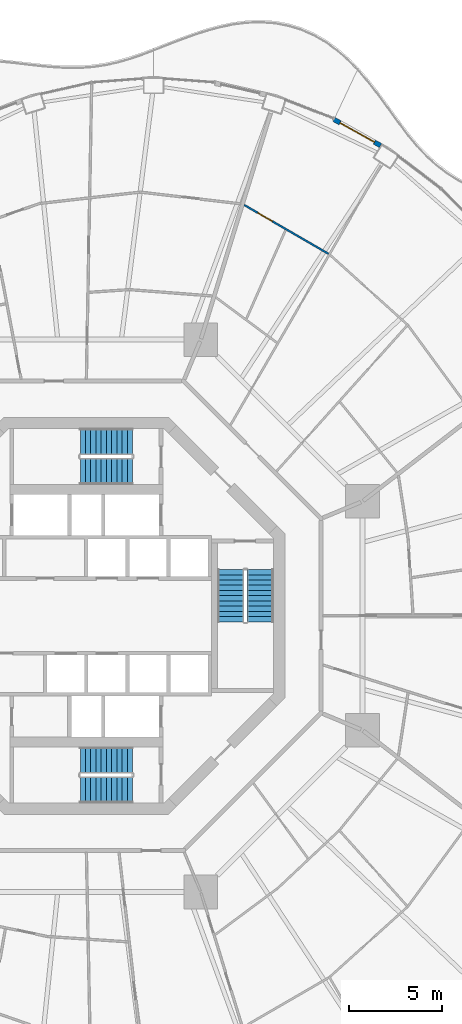
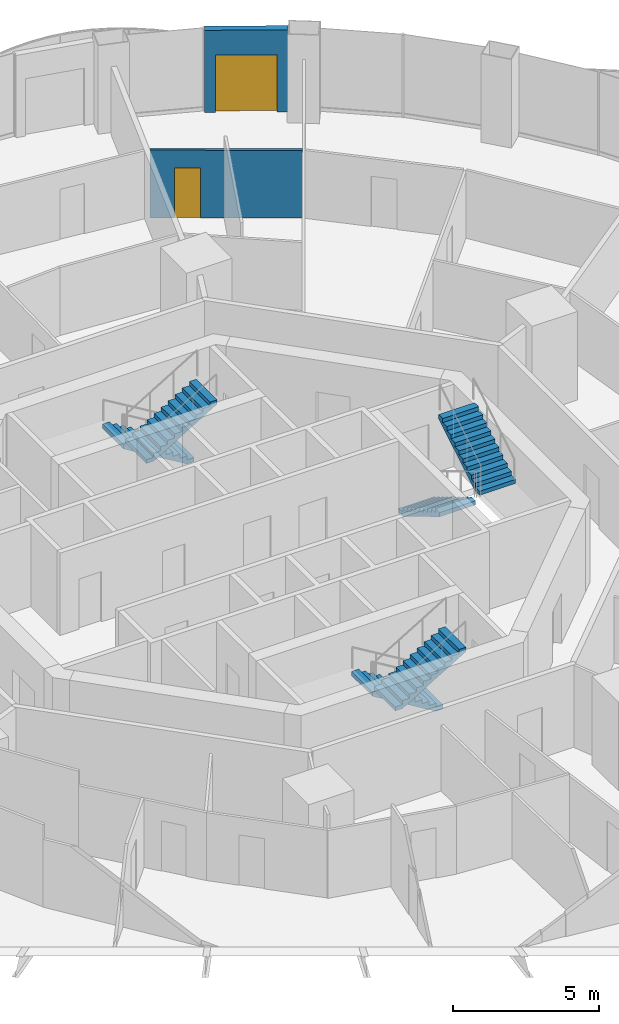
# One storey, part 16 of 19: 6 stair flights, 2 doors, 2 walls, 2 openings, 3 elements without a shape of their own.
"""IFC4 building model written with IfcOpenShell, lengths in metres."""

from ifc_helpers import new_model, si_unit, direction, frame, frame_2d, origin, place, context, subcontext, project, spatial, polyline, rectangle, outline, extrude, material, layer, layer_set, type_object, element, fill, aggregate, save


model = new_model("IFC4")

# Units and contexts
model_context = context("Model", 3, precision=1e-05, world=origin(), true_north=direction((0.0, 1.0)))
body_context = subcontext(model_context, "Body", "Model", "MODEL_VIEW")
ifc_project = project(units=[si_unit("LENGTHUNIT", "METRE"), si_unit("AREAUNIT", "SQUARE_METRE"), si_unit("VOLUMEUNIT", "CUBIC_METRE"), si_unit("PLANEANGLEUNIT", "RADIAN"), si_unit("MASSUNIT", "GRAM", prefix="KILO")], contexts=[model_context])

# Site, building, storey
site_placement = place(None, origin())
site = spatial("IfcSite", under=ifc_project, at=site_placement, CompositionType="ELEMENT")
building_placement = place(site_placement, origin())
building = spatial("IfcBuilding", under=site, at=building_placement, Name="Nagisa Residences", CompositionType="ELEMENT")
storey_placement = place(building_placement, frame((0.0, 0.0, 180.699951171875)))
storey = spatial("IfcBuildingStorey", under=building, at=storey_placement, Name="L45", CompositionType="ELEMENT", Elevation=180.699951171875)

# Wall, opening, door
ifc_material_1 = material(Name="Gypsum board on steel studs", Category="steel")
ifc_layer_1 = layer(ifc_material_1, 0.10009765625)
ifc_layer_set_1 = layer_set([ifc_layer_1], Name="Apartment partition 100")
wall_type_1 = type_object("IfcWallType", Name="Apartment partition 100", PredefinedType="PARTITIONING", material=ifc_layer_set_1)
wall_1_placement = place(storey_placement, frame((12.965087890625, 19.371337890625, 0.0), z_axis=(0.0, 0.0, 1.0), x_axis=(-0.865286427811, 0.501277765163, 0.0)))
wall_1 = element("IfcWall", 1, at=wall_1_placement, inside=storey, type_object=wall_type_1, Name="wall:L45:u29", PredefinedType="PARTITIONING", context=body_context, shape_type="SweptSolid", body=[
    extrude(rectangle(XDim=5.219970703125, YDim=0.10009765625, at=frame_2d((2.60986328125, 0.0))), origin(), (0.0, 0.0, 1.0), 2.837158203125),
])
opening_1_placement = place(wall_1_placement, frame((3.4775390625, 0.0, 0.0)))
opening_1 = element("IfcOpeningElement", 2, at=opening_1_placement, cuts=wall_1, Name="Opening L45-U52", PredefinedType="OPENING", context=body_context, shape_type="SweptSolid", body=[
    extrude(rectangle(XDim=0.89990234375, YDim=2.10009765625, at=frame_2d((0.449951171875, 1.050048828125))), frame((0.0, 0.06005859375, 0.0), z_axis=(0.0, -1.0, 0.0), x_axis=(1.0, 0.0, 0.0)), (0.0, 0.0, 1.0), 0.1201171875),
])
ifc_material_2 = material(Name="Timber door set", Category="wood")
door_type_1 = type_object("IfcDoorType", Name="Apartment door 900x2100", OperationType="NOTDEFINED", PredefinedType="DOOR", material=ifc_material_2)
door_1_placement = place(opening_1_placement, origin())
door_1 = element("IfcDoor", 3, at=door_1_placement, inside=storey, type_object=door_type_1, Name="Door to en-suite bathroom, Apartment 45D", OperationType="SINGLE_SWING_RIGHT", OverallHeight=2.10009765625, OverallWidth=0.89990234375, PredefinedType="DOOR", context=body_context, shape_type="SweptSolid", body=[
    extrude(rectangle(XDim=0.89990234375, YDim=2.10009765625, at=frame_2d((0.449951171875, 1.050048828125))), frame((0.0, 0.02490234375, 0.0), z_axis=(0.0, -1.0, 0.0), x_axis=(1.0, 0.0, 0.0)), (0.0, 0.0, 1.0), 0.050048828125),
])
fill(opening_1, door_1)

ifc_material_3 = material(Name="Precast concrete C40/50", Category="concrete")
ifc_layer_2 = layer(ifc_material_3, 0.25)
ifc_layer_set_2 = layer_set([ifc_layer_2], Name="BALCONY DOOR WALL 250")
wall_type_2 = type_object("IfcWallType", Name="BALCONY DOOR WALL 250", PredefinedType="SOLIDWALL", material=ifc_layer_set_2)
wall_2_placement = place(storey_placement, frame((13.24951171875, 26.568115234375, 0.0), z_axis=(0.0, 0.0, 1.0), x_axis=(0.872057843239, -0.489402817774, 0.0)))
wall_2 = element("IfcWall", 4, at=wall_2_placement, inside=storey, type_object=wall_type_2, Name="wall:L45:bay08", PredefinedType="SOLIDWALL", context=body_context, shape_type="SweptSolid", body=[
    extrude(rectangle(XDim=2.863525390625, YDim=0.25, at=frame_2d((1.431640625, 0.0))), origin(), (0.0, 0.0, 1.0), 3.43994140625),
])
opening_2_placement = place(wall_2_placement, frame((0.3818359375, 0.0, 0.0)))
opening_2 = element("IfcOpeningElement", 5, at=opening_2_placement, cuts=wall_2, Name="Opening BD-L45-03", PredefinedType="OPENING", context=body_context, shape_type="SweptSolid", body=[
    extrude(rectangle(XDim=2.10009765625, YDim=2.39990234375, at=frame_2d((1.050048828125, 1.199951171875))), frame((0.0, 0.135009765625, 0.0), z_axis=(0.0, -1.0, 0.0), x_axis=(1.0, 0.0, 0.0)), (0.0, 0.0, 1.0), 0.27001953125),
])
ifc_material_4 = material(Name="Aluminium and clear glass", Category="aluminium")
door_type_2 = type_object("IfcDoorType", Name="BALCONY SLIDING DOOR 2100x2400", OperationType="SLIDING_TO_LEFT", PredefinedType="DOOR", material=ifc_material_4)
door_2_placement = place(opening_2_placement, origin())
door_2 = element("IfcDoor", 6, at=door_2_placement, inside=storey, type_object=door_type_2, Name="door:L45:bay08", OperationType="SLIDING_TO_LEFT", OverallHeight=2.39990234375, OverallWidth=2.10009765625, PredefinedType="DOOR", context=body_context, shape_type="SweptSolid", body=[
    extrude(rectangle(XDim=2.10009765625, YDim=2.39990234375, at=frame_2d((1.050048828125, 1.199951171875))), frame((0.0, 0.02490234375, 0.0), z_axis=(0.0, -1.0, 0.0), x_axis=(1.0, 0.0, 0.0)), (0.0, 0.0, 1.0), 0.050048828125),
])
fill(opening_2, door_2)

# Stair, stair flights
ifc_material_5 = material(Name="Concrete C60", Category="concrete")
stair_type = type_object("IfcStairType", Name="Exit stair", PredefinedType="HALF_TURN_STAIR", material=ifc_material_5)
stair_1_placement = place(storey_placement, origin())
stair_1 = element("IfcStair", 7, at=stair_1_placement, inside=storey, type_object=stair_type, Name="L45 Exit stair E", PredefinedType="HALF_TURN_STAIR")
ifc_material_6 = material(Name="Concrete C60", Category="concrete")
stair_flight_type = type_object("IfcStairFlightType", Name="Exit stair flight", PredefinedType="STRAIGHT", material=ifc_material_6)
stair_flight_1_placement = place(storey_placement, frame((7.737060546875, 2.47509765625, 0.0), z_axis=(0.0, 0.0, 1.0), x_axis=(0.0, -1.0, 0.0)))
stair_flight_1 = element("IfcStairFlight", 8, at=stair_flight_1_placement, type_object=stair_flight_type, Name="ST-E flight 1", NumberOfRisers=11, NumberOfTreads=10, PredefinedType="STRAIGHT", RiserHeight=0.168181818, TreadLength=0.28, context=body_context, shape_type="SweptSolid", body=[
    extrude(outline(polyline([(0.0, 0.0), (0.0, 0.168212890625), (0.280029296875, 0.168212890625), (0.280029296875, 0.33642578125), (0.56005859375, 0.33642578125), (0.56005859375, 0.504638671875), (0.840087890625, 0.504638671875), (0.840087890625, 0.672607421875), (1.1201171875, 0.672607421875), (1.1201171875, 0.8408203125), (1.39990234375, 0.8408203125), (1.39990234375, 1.009033203125), (1.679931640625, 1.009033203125), (1.679931640625, 1.17724609375), (1.9599609375, 1.17724609375), (1.9599609375, 1.345458984375), (2.239990234375, 1.345458984375), (2.239990234375, 1.513671875), (2.52001953125, 1.513671875), (2.52001953125, 1.681884765625), (2.800048828125, 1.681884765625), (2.800048828125, 1.85009765625), (2.800048828125, 1.5068359375), (0.291015625, 0.0), (0.0, 0.0)])), frame((0.0, 0.71240234375, 0.0), z_axis=(0.0, -1.0, 0.0), x_axis=(1.0, 0.0, 0.0)), (0.0, 0.0, 1.0), 1.425048828125),
])
stair_flight_2_placement = place(storey_placement, frame((9.31201171875, -0.324951171875, 1.85009765625), z_axis=(0.0, 0.0, 1.0), x_axis=(0.0, 1.0, 0.0)))
stair_flight_2 = element("IfcStairFlight", 9, at=stair_flight_2_placement, type_object=stair_flight_type, Name="ST-E flight 2", NumberOfRisers=11, NumberOfTreads=10, PredefinedType="STRAIGHT", RiserHeight=0.168181818, TreadLength=0.28, context=body_context, shape_type="SweptSolid", body=[
    extrude(outline(polyline([(0.0, 0.0), (0.0, 0.168212890625), (0.280029296875, 0.168212890625), (0.280029296875, 0.33642578125), (0.56005859375, 0.33642578125), (0.56005859375, 0.504638671875), (0.840087890625, 0.504638671875), (0.840087890625, 0.672607421875), (1.1201171875, 0.672607421875), (1.1201171875, 0.8408203125), (1.39990234375, 0.8408203125), (1.39990234375, 1.009033203125), (1.679931640625, 1.009033203125), (1.679931640625, 1.17724609375), (1.9599609375, 1.17724609375), (1.9599609375, 1.345458984375), (2.239990234375, 1.345458984375), (2.239990234375, 1.513671875), (2.52001953125, 1.513671875), (2.52001953125, 1.681884765625), (2.800048828125, 1.681884765625), (2.800048828125, 1.85009765625), (2.800048828125, 1.5068359375), (0.291015625, 0.0), (0.0, 0.0)])), frame((0.0, 0.71240234375, 0.0), z_axis=(0.0, -1.0, 0.0), x_axis=(1.0, 0.0, 0.0)), (0.0, 0.0, 1.0), 1.425048828125),
])
aggregate(stair_1, [stair_flight_1, stair_flight_2])

stair_2_placement = place(storey_placement, origin())
stair_2 = element("IfcStair", 10, at=stair_2_placement, inside=storey, type_object=stair_type, Name="L45 Exit stair N", PredefinedType="HALF_TURN_STAIR")
stair_flight_3_placement = place(storey_placement, frame((2.47509765625, 9.31201171875, 0.0), z_axis=(0.0, 0.0, 1.0), x_axis=(-1.0, 0.0, 0.0)))
stair_flight_3 = element("IfcStairFlight", 11, at=stair_flight_3_placement, type_object=stair_flight_type, Name="ST-N flight 1", NumberOfRisers=11, NumberOfTreads=10, PredefinedType="STRAIGHT", RiserHeight=0.168181818, TreadLength=0.28, context=body_context, shape_type="SweptSolid", body=[
    extrude(outline(polyline([(0.0, 0.0), (0.0, 0.168212890625), (0.280029296875, 0.168212890625), (0.280029296875, 0.33642578125), (0.56005859375, 0.33642578125), (0.56005859375, 0.504638671875), (0.840087890625, 0.504638671875), (0.840087890625, 0.672607421875), (1.1201171875, 0.672607421875), (1.1201171875, 0.8408203125), (1.39990234375, 0.8408203125), (1.39990234375, 1.009033203125), (1.679931640625, 1.009033203125), (1.679931640625, 1.17724609375), (1.9599609375, 1.17724609375), (1.9599609375, 1.345458984375), (2.239990234375, 1.345458984375), (2.239990234375, 1.513671875), (2.52001953125, 1.513671875), (2.52001953125, 1.681884765625), (2.800048828125, 1.681884765625), (2.800048828125, 1.85009765625), (2.800048828125, 1.5068359375), (0.291015625, 0.0), (0.0, 0.0)])), frame((0.0, 0.71240234375, 0.0), z_axis=(0.0, -1.0, 0.0), x_axis=(1.0, 0.0, 0.0)), (0.0, 0.0, 1.0), 1.425048828125),
])
stair_flight_4_placement = place(storey_placement, frame((-0.324951171875, 7.737060546875, 1.85009765625), z_axis=(0.0, 0.0, 1.0), x_axis=(1.0, 0.0, 0.0)))
stair_flight_4 = element("IfcStairFlight", 12, at=stair_flight_4_placement, type_object=stair_flight_type, Name="ST-N flight 2", NumberOfRisers=11, NumberOfTreads=10, PredefinedType="STRAIGHT", RiserHeight=0.168181818, TreadLength=0.28, context=body_context, shape_type="SweptSolid", body=[
    extrude(outline(polyline([(0.0, 0.0), (0.0, 0.168212890625), (0.280029296875, 0.168212890625), (0.280029296875, 0.33642578125), (0.56005859375, 0.33642578125), (0.56005859375, 0.504638671875), (0.840087890625, 0.504638671875), (0.840087890625, 0.672607421875), (1.1201171875, 0.672607421875), (1.1201171875, 0.8408203125), (1.39990234375, 0.8408203125), (1.39990234375, 1.009033203125), (1.679931640625, 1.009033203125), (1.679931640625, 1.17724609375), (1.9599609375, 1.17724609375), (1.9599609375, 1.345458984375), (2.239990234375, 1.345458984375), (2.239990234375, 1.513671875), (2.52001953125, 1.513671875), (2.52001953125, 1.681884765625), (2.800048828125, 1.681884765625), (2.800048828125, 1.85009765625), (2.800048828125, 1.5068359375), (0.291015625, 0.0), (0.0, 0.0)])), frame((0.0, 0.71240234375, 0.0), z_axis=(0.0, -1.0, 0.0), x_axis=(1.0, 0.0, 0.0)), (0.0, 0.0, 1.0), 1.425048828125),
])
aggregate(stair_2, [stair_flight_3, stair_flight_4])

stair_3_placement = place(storey_placement, origin())
stair_3 = element("IfcStair", 13, at=stair_3_placement, inside=storey, type_object=stair_type, Name="L45 Exit stair S", PredefinedType="HALF_TURN_STAIR")
stair_flight_5_placement = place(storey_placement, frame((2.47509765625, -7.737060546875, 0.0), z_axis=(0.0, 0.0, 1.0), x_axis=(-1.0, 0.0, 0.0)))
stair_flight_5 = element("IfcStairFlight", 14, at=stair_flight_5_placement, type_object=stair_flight_type, Name="ST-S flight 1", NumberOfRisers=11, NumberOfTreads=10, PredefinedType="STRAIGHT", RiserHeight=0.168181818, TreadLength=0.28, context=body_context, shape_type="SweptSolid", body=[
    extrude(outline(polyline([(0.0, 0.0), (0.0, 0.168212890625), (0.280029296875, 0.168212890625), (0.280029296875, 0.33642578125), (0.56005859375, 0.33642578125), (0.56005859375, 0.504638671875), (0.840087890625, 0.504638671875), (0.840087890625, 0.672607421875), (1.1201171875, 0.672607421875), (1.1201171875, 0.8408203125), (1.39990234375, 0.8408203125), (1.39990234375, 1.009033203125), (1.679931640625, 1.009033203125), (1.679931640625, 1.17724609375), (1.9599609375, 1.17724609375), (1.9599609375, 1.345458984375), (2.239990234375, 1.345458984375), (2.239990234375, 1.513671875), (2.52001953125, 1.513671875), (2.52001953125, 1.681884765625), (2.800048828125, 1.681884765625), (2.800048828125, 1.85009765625), (2.800048828125, 1.5068359375), (0.291015625, 0.0), (0.0, 0.0)])), frame((0.0, 0.71240234375, 0.0), z_axis=(0.0, -1.0, 0.0), x_axis=(1.0, 0.0, 0.0)), (0.0, 0.0, 1.0), 1.425048828125),
])
stair_flight_6_placement = place(storey_placement, frame((-0.324951171875, -9.31201171875, 1.85009765625), z_axis=(0.0, 0.0, 1.0), x_axis=(1.0, 0.0, 0.0)))
stair_flight_6 = element("IfcStairFlight", 15, at=stair_flight_6_placement, type_object=stair_flight_type, Name="ST-S flight 2", NumberOfRisers=11, NumberOfTreads=10, PredefinedType="STRAIGHT", RiserHeight=0.168181818, TreadLength=0.28, context=body_context, shape_type="SweptSolid", body=[
    extrude(outline(polyline([(0.0, 0.0), (0.0, 0.168212890625), (0.280029296875, 0.168212890625), (0.280029296875, 0.33642578125), (0.56005859375, 0.33642578125), (0.56005859375, 0.504638671875), (0.840087890625, 0.504638671875), (0.840087890625, 0.672607421875), (1.1201171875, 0.672607421875), (1.1201171875, 0.8408203125), (1.39990234375, 0.8408203125), (1.39990234375, 1.009033203125), (1.679931640625, 1.009033203125), (1.679931640625, 1.17724609375), (1.9599609375, 1.17724609375), (1.9599609375, 1.345458984375), (2.239990234375, 1.345458984375), (2.239990234375, 1.513671875), (2.52001953125, 1.513671875), (2.52001953125, 1.681884765625), (2.800048828125, 1.681884765625), (2.800048828125, 1.85009765625), (2.800048828125, 1.5068359375), (0.291015625, 0.0), (0.0, 0.0)])), frame((0.0, 0.71240234375, 0.0), z_axis=(0.0, -1.0, 0.0), x_axis=(1.0, 0.0, 0.0)), (0.0, 0.0, 1.0), 1.425048828125),
])
aggregate(stair_3, [stair_flight_5, stair_flight_6])

save(model, "model.ifc")
